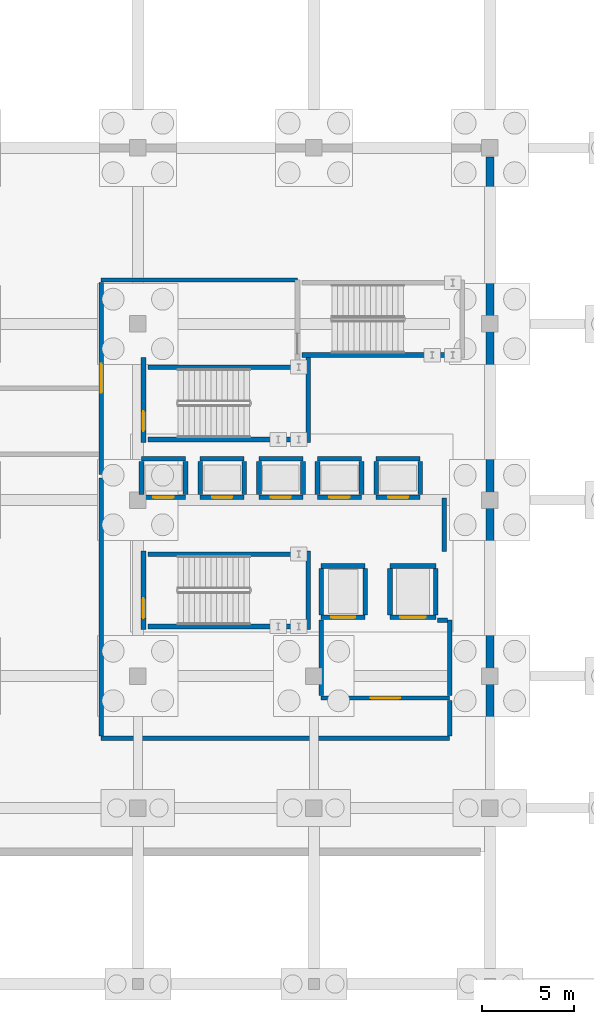
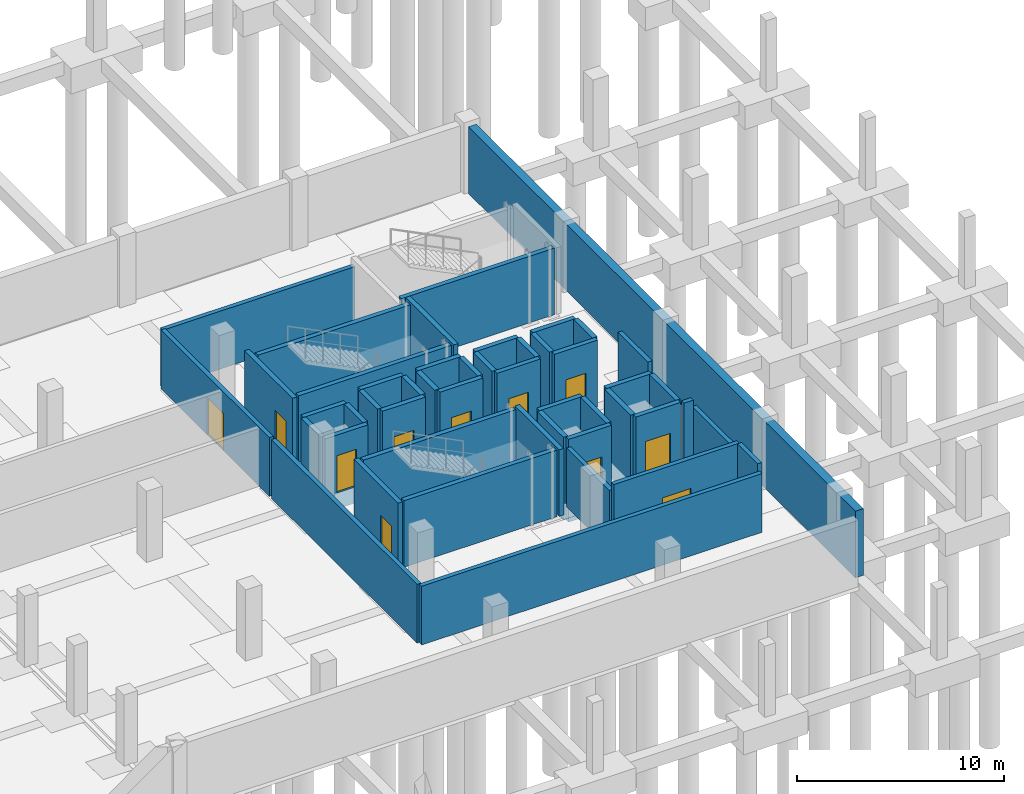
# One storey, part 43 of 54: 48 walls, 11 doors, 11 openings.
"""IFC4 building model written with IfcOpenShell, lengths in metres."""

from ifc_helpers import new_model, si_unit, direction, frame, frame_2d, origin, place, context, subcontext, project, spatial, rectangle, extrude, material, layer, layer_set, type_object, element, fill, save


model = new_model("IFC4")

# Units and contexts
model_context = context("Model", 3, precision=1e-05, world=origin(), true_north=direction((0.0, 1.0)))
body_context = subcontext(model_context, "Body", "Model", "MODEL_VIEW")
ifc_project = project(units=[si_unit("LENGTHUNIT", "METRE"), si_unit("AREAUNIT", "SQUARE_METRE"), si_unit("VOLUMEUNIT", "CUBIC_METRE"), si_unit("PLANEANGLEUNIT", "RADIAN"), si_unit("MASSUNIT", "GRAM", prefix="KILO")], contexts=[model_context])

# Site, building, storey
site_placement = place(None, origin())
site = spatial("IfcSite", under=ifc_project, at=site_placement, CompositionType="ELEMENT")
building_placement = place(site_placement, origin())
building = spatial("IfcBuilding", under=site, at=building_placement, Name="Zevrakil Square Congress Hotel", CompositionType="ELEMENT")
storey_placement = place(building_placement, frame((0.0, 0.0, -8.39990234375)))
storey = spatial("IfcBuildingStorey", under=building, at=storey_placement, Name="B2", CompositionType="ELEMENT", Elevation=-8.39990234375)

# Wall, opening, door
ifc_material_1 = material(Name="Concrete C35/45", Category="concrete")
ifc_layer_1 = layer(ifc_material_1, 0.239990234375)
ifc_layer_set_1 = layer_set([ifc_layer_1], Name="Concrete C35/45")
wall_type_1 = type_object("IfcWallType", Name="WAL-COMP-240", PredefinedType="SOLIDWALL", material=ifc_layer_set_1)
wall_1_placement = place(storey_placement, frame((146.800048828125, 15.60009765625, 0.0), z_axis=(0.0, 0.0, 1.0), x_axis=(1.0, 0.0, 0.0)))
wall_1 = element("IfcWall", 1, at=wall_1_placement, inside=storey, type_object=wall_type_1, Name="B2 interior partition PW-B2-0001", PredefinedType="SOLIDWALL", context=body_context, shape_type="SweptSolid", body=[
    extrude(rectangle(XDim=7.0, YDim=0.239990234375, at=frame_2d((3.5, 0.0))), origin(), (0.0, 0.0, 1.0), 3.929931640625),
])
opening_1_placement = place(wall_1_placement, frame((2.699951171875, 0.0, 0.0)))
opening_1 = element("IfcOpeningElement", 2, at=opening_1_placement, cuts=wall_1, Name="Opening FD90-D", PredefinedType="OPENING", context=body_context, shape_type="SweptSolid", body=[
    extrude(rectangle(XDim=1.60009765625, YDim=2.199951171875, at=frame_2d((0.800048828125, 1.10009765625))), frame((0.0, 0.1298828125, 0.0), z_axis=(0.0, -1.0, 0.0), x_axis=(1.0, 0.0, 0.0)), (0.0, 0.0, 1.0), 0.260009765625),
])
ifc_material_2 = material(Name="Steel S355 Double Fire Door", Category="steel")
door_type_1 = type_object("IfcDoorType", Name="DOR-FFLOB-FD90-160", OperationType="NOTDEFINED", PredefinedType="DOOR", material=ifc_material_2)
door_1_placement = place(opening_1_placement, origin())
door_1 = element("IfcDoor", 3, at=door_1_placement, inside=storey, type_object=door_type_1, Name="B2 interior door 2", OperationType="DOUBLE_DOOR_SINGLE_SWING", OverallHeight=2.199951171875, OverallWidth=1.60009765625, PredefinedType="DOOR", context=body_context, shape_type="SweptSolid", body=[
    extrude(rectangle(XDim=1.60009765625, YDim=2.199951171875, at=frame_2d((0.800048828125, 1.10009765625))), frame((0.0, 0.02490234375, 0.0), z_axis=(0.0, -1.0, 0.0), x_axis=(1.0, 0.0, 0.0)), (0.0, 0.0, 1.0), 0.050048828125),
])
fill(opening_1, door_1)

# Walls
for number, where, z_axis, x_axis, name in (
    (4, (146.800048828125, 15.72509765625, 0.0), (0.0, 0.0, 1.0), (0.0, 1.0, 0.0), "B2 interior partition PW-B2-0002"),
    (5, (153.800048828125, 15.72509765625, 0.0), (0.0, 0.0, 1.0), (0.0, 1.0, 0.0), "B2 interior partition PW-B2-0003"),
):
    element("IfcWall", number, at=place(storey_placement, frame(where, z_axis=z_axis, x_axis=x_axis)), inside=storey, type_object=wall_type_1, Name=name, PredefinedType="SOLIDWALL", context=body_context, shape_type="SweptSolid", body=[
        extrude(rectangle(XDim=4.125, YDim=0.239990234375, at=frame_2d((2.0625, 0.0))), origin(), (0.0, 0.0, 1.0), 3.474853515625),
    ])
wall_2_placement = place(storey_placement, frame((153.14990234375, 19.85009765625, 0.0), z_axis=(0.0, 0.0, 1.0), x_axis=(1.0, 0.0, 0.0)))
element("IfcWall", 6, at=wall_2_placement, inside=storey, type_object=wall_type_1, Name="B2 interior partition PW-B2-0004", PredefinedType="SOLIDWALL", context=body_context, shape_type="SweptSolid", body=[
    extrude(rectangle(XDim=0.525146484375, YDim=0.239990234375, at=frame_2d((0.2626953125, 0.0))), origin(), (0.0, 0.0, 1.0), 3.929931640625),
])
wall_3_placement = place(storey_placement, frame((134.800048828125, 13.39990234375, 0.0), z_axis=(0.0, 0.0, 1.0), x_axis=(1.0, 0.0, 0.0)))
element("IfcWall", 7, at=wall_3_placement, inside=storey, type_object=wall_type_1, Name="B2 interior partition PW-B2-0005", PredefinedType="SOLIDWALL", context=body_context, shape_type="SweptSolid", body=[
    extrude(rectangle(XDim=19.0, YDim=0.239990234375, at=frame_2d((9.5, 0.0))), origin(), (0.0, 0.0, 1.0), 3.46484375),
])
wall_4_placement = place(storey_placement, frame((153.800048828125, 13.52490234375, 0.0), z_axis=(0.0, 0.0, 1.0), x_axis=(0.0, 1.0, 0.0)))
element("IfcWall", 8, at=wall_4_placement, inside=storey, type_object=wall_type_1, Name="B2 interior partition PW-B2-0006", PredefinedType="SOLIDWALL", context=body_context, shape_type="SweptSolid", body=[
    extrude(rectangle(XDim=1.9501953125, YDim=0.239990234375, at=frame_2d((0.97509765625, 0.0))), origin(), (0.0, 0.0, 1.0), 3.929931640625),
])
wall_5_placement = place(storey_placement, frame((134.800048828125, 13.52490234375, 0.0), z_axis=(0.0, 0.0, 1.0), x_axis=(0.0, 1.0, 0.0)))
element("IfcWall", 9, at=wall_5_placement, inside=storey, type_object=wall_type_1, Name="B2 interior partition PW-B2-0007", PredefinedType="SOLIDWALL", context=body_context, shape_type="SweptSolid", body=[
    extrude(rectangle(XDim=14.0751953125, YDim=0.239990234375, at=frame_2d((7.03759765625, 0.0))), origin(), (0.0, 0.0, 1.0), 3.474853515625),
])

# Wall, opening, door
wall_6_placement = place(storey_placement, frame((134.800048828125, 27.800048828125, 0.0), z_axis=(0.0, 0.0, 1.0), x_axis=(0.0, 1.0, 0.0)))
wall_6 = element("IfcWall", 10, at=wall_6_placement, inside=storey, type_object=wall_type_1, Name="B2 interior partition PW-B2-0008", PredefinedType="SOLIDWALL", context=body_context, shape_type="SweptSolid", body=[
    extrude(rectangle(XDim=10.474853515625, YDim=0.239990234375, at=frame_2d((5.2373046875, 0.0))), origin(), (0.0, 0.0, 1.0), 3.474853515625),
])
opening_2_placement = place(wall_6_placement, frame((4.4375, 0.0, 0.0)))
opening_2 = element("IfcOpeningElement", 11, at=opening_2_placement, cuts=wall_6, Name="Opening FD90-D", PredefinedType="OPENING", context=body_context, shape_type="SweptSolid", body=[
    extrude(rectangle(XDim=1.60009765625, YDim=2.199951171875, at=frame_2d((0.800048828125, 1.10009765625))), frame((0.0, 0.1298828125, 0.0), z_axis=(0.0, -1.0, 0.0), x_axis=(1.0, 0.0, 0.0)), (0.0, 0.0, 1.0), 0.260009765625),
])
door_2_placement = place(opening_2_placement, origin())
door_2 = element("IfcDoor", 12, at=door_2_placement, inside=storey, type_object=door_type_1, Name="B2 interior door 3", OperationType="DOUBLE_DOOR_SINGLE_SWING", OverallHeight=2.199951171875, OverallWidth=1.60009765625, PredefinedType="DOOR", context=body_context, shape_type="SweptSolid", body=[
    extrude(rectangle(XDim=1.60009765625, YDim=2.199951171875, at=frame_2d((0.800048828125, 1.10009765625))), frame((0.0, 0.02490234375, 0.0), z_axis=(0.0, -1.0, 0.0), x_axis=(1.0, 0.0, 0.0)), (0.0, 0.0, 1.0), 0.050048828125),
])
fill(opening_2, door_2)

# Walls
wall_7_placement = place(storey_placement, frame((134.800048828125, 38.39990234375, 0.0), z_axis=(0.0, 0.0, 1.0), x_axis=(1.0, 0.0, 0.0)))
element("IfcWall", 13, at=wall_7_placement, inside=storey, type_object=wall_type_1, Name="B2 interior partition PW-B2-0009", PredefinedType="SOLIDWALL", context=body_context, shape_type="SweptSolid", body=[
    extrude(rectangle(XDim=10.699951171875, YDim=0.239990234375, at=frame_2d((5.35009765625, 0.0))), origin(), (0.0, 0.0, 1.0), 3.414794921875),
])
wall_8_placement = place(storey_placement, frame((153.5, 23.60009765625, 0.0), z_axis=(0.0, 0.0, 1.0), x_axis=(0.0, 1.0, 0.0)))
element("IfcWall", 14, at=wall_8_placement, inside=storey, type_object=wall_type_1, Name="B2 interior partition PW-B2-0010", PredefinedType="SOLIDWALL", context=body_context, shape_type="SweptSolid", body=[
    extrude(rectangle(XDim=2.89990234375, YDim=0.239990234375, at=frame_2d((1.449951171875, 0.0))), origin(), (0.0, 0.0, 1.0), 3.929931640625),
])
ifc_material_3 = material(Name="Concrete C40/50", Category="concrete")
ifc_layer_2 = layer(ifc_material_3, 0.449951171875)
ifc_layer_set_2 = layer_set([ifc_layer_2], Name="Concrete C40/50")
wall_type_2 = type_object("IfcWallType", Name="WAL-RET-450", PredefinedType="SOLIDWALL", material=ifc_layer_set_2)
wall_9_placement = place(storey_placement, frame((156.0, 7.699951171875, 0.0), z_axis=(0.0, 0.0, 1.0), x_axis=(0.0, 1.0, 0.0)))
element("IfcWall", 15, at=wall_9_placement, inside=storey, type_object=wall_type_2, Name="B2 perimeter concrete retaining wall 2", PredefinedType="SOLIDWALL", context=body_context, shape_type="SweptSolid", body=[
    extrude(rectangle(XDim=37.400146484375, YDim=0.449951171875, at=frame_2d((18.7001953125, 0.0))), origin(), (0.0, 0.0, 1.0), 3.929931640625),
])

# Wall, opening, door
ifc_material_4 = material(Name="Concrete C40/50", Category="concrete")
ifc_layer_3 = layer(ifc_material_4, 0.260009765625)
ifc_layer_set_3 = layer_set([ifc_layer_3], Name="Concrete C40/50")
wall_type_3 = type_object("IfcWallType", Name="WAL-SHAFT-260", PredefinedType="SHEAR", material=ifc_layer_set_3)
wall_10_placement = place(storey_placement, frame((137.10498046875, 19.340087890625, 0.0), z_axis=(0.0, 0.0, 1.0), x_axis=(0.0, 1.0, 0.0)))
wall_10 = element("IfcWall", 16, at=wall_10_placement, inside=storey, type_object=wall_type_3, Name="B2 ST01 stair shaft W wall", PredefinedType="SHEAR", context=body_context, shape_type="SweptSolid", body=[
    extrude(rectangle(XDim=4.27001953125, YDim=0.260009765625, at=frame_2d((2.135009765625, 0.0))), origin(), (0.0, 0.0, 1.0), 3.929931640625),
])
opening_3_placement = place(wall_10_placement, frame((0.610107421875, 0.0, 0.0)))
opening_3 = element("IfcOpeningElement", 17, at=opening_3_placement, cuts=wall_10, Name="Opening SD-ST01", PredefinedType="OPENING", context=body_context, shape_type="SweptSolid", body=[
    extrude(rectangle(XDim=1.10009765625, YDim=2.199951171875, at=frame_2d((0.550048828125, 1.10009765625))), frame((0.0, 0.14013671875, 0.0), z_axis=(0.0, -1.0, 0.0), x_axis=(1.0, 0.0, 0.0)), (0.0, 0.0, 1.0), 0.280029296875),
])
ifc_material_5 = material(Name="Steel S355 Fire-Rated Door", Category="steel")
door_type_2 = type_object("IfcDoorType", Name="DOR-STAIR-FD90-110", OperationType="NOTDEFINED", PredefinedType="DOOR", material=ifc_material_5)
door_3_placement = place(opening_3_placement, origin())
door_3 = element("IfcDoor", 18, at=door_3_placement, inside=storey, type_object=door_type_2, Name="B2 ST01 protected stair fire door", OperationType="SINGLE_SWING_RIGHT", OverallHeight=2.199951171875, OverallWidth=1.10009765625, PredefinedType="DOOR", context=body_context, shape_type="SweptSolid", body=[
    extrude(rectangle(XDim=1.10009765625, YDim=2.199951171875, at=frame_2d((0.550048828125, 1.10009765625))), frame((0.0, 0.02490234375, 0.0), z_axis=(0.0, -1.0, 0.0), x_axis=(1.0, 0.0, 0.0)), (0.0, 0.0, 1.0), 0.050048828125),
])
fill(opening_3, door_3)

# Walls
wall_11_placement = place(storey_placement, frame((146.094970703125, 19.340087890625, 0.0), z_axis=(0.0, 0.0, 1.0), x_axis=(0.0, 1.0, 0.0)))
element("IfcWall", 19, at=wall_11_placement, inside=storey, type_object=wall_type_3, Name="B2 ST01 stair shaft E wall", PredefinedType="SHEAR", context=body_context, shape_type="SweptSolid", body=[
    extrude(rectangle(XDim=4.27001953125, YDim=0.260009765625, at=frame_2d((2.135009765625, 0.0))), origin(), (0.0, 0.0, 1.0), 3.929931640625),
])
for number, where, z_axis, x_axis, name in (
    (20, (137.340087890625, 19.5048828125, 0.0), (0.0, 0.0, 1.0), (1.0, 0.0, 0.0), "B2 ST01 stair shaft S wall"),
    (21, (137.340087890625, 23.445068359375, 0.0), (0.0, 0.0, 1.0), (1.0, 0.0, 0.0), "B2 ST01 stair shaft N wall"),
):
    element("IfcWall", number, at=place(storey_placement, frame(where, z_axis=z_axis, x_axis=x_axis)), inside=storey, type_object=wall_type_3, Name=name, PredefinedType="SHEAR", context=body_context, shape_type="SweptSolid", body=[
        extrude(rectangle(XDim=8.52001953125, YDim=0.260009765625, at=frame_2d((4.260009765625, 0.0))), origin(), (0.0, 0.0, 1.0), 3.929931640625),
    ])

# Wall, opening, door
wall_12_placement = place(storey_placement, frame((137.10498046875, 29.5400390625, 0.0), z_axis=(0.0, 0.0, 1.0), x_axis=(0.0, 1.0, 0.0)))
wall_12 = element("IfcWall", 22, at=wall_12_placement, inside=storey, type_object=wall_type_3, Name="B2 ST02 stair shaft W wall", PredefinedType="SHEAR", context=body_context, shape_type="SweptSolid", body=[
    extrude(rectangle(XDim=4.635009765625, YDim=0.260009765625, at=frame_2d((2.3173828125, 0.0))), origin(), (0.0, 0.0, 1.0), 3.929931640625),
])
opening_4_placement = place(wall_12_placement, frame((0.610107421875, 0.0, 0.0)))
opening_4 = element("IfcOpeningElement", 23, at=opening_4_placement, cuts=wall_12, Name="Opening SD-ST02", PredefinedType="OPENING", context=body_context, shape_type="SweptSolid", body=[
    extrude(rectangle(XDim=1.10009765625, YDim=2.199951171875, at=frame_2d((0.550048828125, 1.10009765625))), frame((0.0, 0.14013671875, 0.0), z_axis=(0.0, -1.0, 0.0), x_axis=(1.0, 0.0, 0.0)), (0.0, 0.0, 1.0), 0.280029296875),
])
door_4_placement = place(opening_4_placement, origin())
door_4 = element("IfcDoor", 24, at=door_4_placement, inside=storey, type_object=door_type_2, Name="B2 ST02 protected stair fire door", OperationType="SINGLE_SWING_RIGHT", OverallHeight=2.199951171875, OverallWidth=1.10009765625, PredefinedType="DOOR", context=body_context, shape_type="SweptSolid", body=[
    extrude(rectangle(XDim=1.10009765625, YDim=2.199951171875, at=frame_2d((0.550048828125, 1.10009765625))), frame((0.0, 0.02490234375, 0.0), z_axis=(0.0, -1.0, 0.0), x_axis=(1.0, 0.0, 0.0)), (0.0, 0.0, 1.0), 0.050048828125),
])
fill(opening_4, door_4)

# Walls
wall_13_placement = place(storey_placement, frame((146.094970703125, 29.5400390625, 0.0), z_axis=(0.0, 0.0, 1.0), x_axis=(0.0, 1.0, 0.0)))
element("IfcWall", 25, at=wall_13_placement, inside=storey, type_object=wall_type_3, Name="B2 ST02 stair shaft E wall", PredefinedType="SHEAR", context=body_context, shape_type="SweptSolid", body=[
    extrude(rectangle(XDim=4.635009765625, YDim=0.260009765625, at=frame_2d((2.3173828125, 0.0))), origin(), (0.0, 0.0, 1.0), 3.929931640625),
])
for number, where, z_axis, x_axis, name in (
    (26, (137.340087890625, 29.705078125, 0.0), (0.0, 0.0, 1.0), (1.0, 0.0, 0.0), "B2 ST02 stair shaft S wall"),
    (27, (137.340087890625, 33.64501953125, 0.0), (0.0, 0.0, 1.0), (1.0, 0.0, 0.0), "B2 ST02 stair shaft N wall"),
    (28, (145.739990234375, 34.304931640625, 0.0), (0.0, 0.0, 1.0), (1.0, 0.0, 0.0), "B2 ST03 stair shaft S wall"),
):
    element("IfcWall", number, at=place(storey_placement, frame(where, z_axis=z_axis, x_axis=x_axis)), inside=storey, type_object=wall_type_3, Name=name, PredefinedType="SHEAR", context=body_context, shape_type="SweptSolid", body=[
        extrude(rectangle(XDim=8.52001953125, YDim=0.260009765625, at=frame_2d((4.260009765625, 0.0))), origin(), (0.0, 0.0, 1.0), 3.929931640625),
    ])

# Wall, opening, door
wall_14_placement = place(storey_placement, frame((137.0, 26.550048828125, -0.9501953125), z_axis=(0.0, 0.0, 1.0), x_axis=(1.0, 0.0, 0.0)))
wall_14 = element("IfcWall", 29, at=wall_14_placement, inside=storey, type_object=wall_type_3, Name="B2 HL1 lift shaft wall", PredefinedType="SHEAR", context=body_context, shape_type="SweptSolid", body=[
    extrude(rectangle(XDim=2.39990234375, YDim=0.260009765625, at=frame_2d((1.199951171875, 0.0))), origin(), (0.0, 0.0, 1.0), 4.364990234375),
])
opening_5_placement = place(wall_14_placement, frame((0.64990234375, 0.0, 0.949951171875)))
opening_5 = element("IfcOpeningElement", 30, at=opening_5_placement, cuts=wall_14, Name="Opening LD-HL1", PredefinedType="OPENING", context=body_context, shape_type="SweptSolid", body=[
    extrude(rectangle(XDim=1.10009765625, YDim=2.199951171875, at=frame_2d((0.550048828125, 1.10009765625))), frame((0.0, 0.14013671875, 0.0), z_axis=(0.0, -1.0, 0.0), x_axis=(1.0, 0.0, 0.0)), (0.0, 0.0, 1.0), 0.280029296875),
])
ifc_material_6 = material(Name="Stainless Steel Sliding Lift Landing Door", Category="steel")
door_type_3 = type_object("IfcDoorType", Name="DOR-LIFT-LD110", OperationType="NOTDEFINED", PredefinedType="DOOR", material=ifc_material_6)
door_5_placement = place(opening_5_placement, origin())
door_5 = element("IfcDoor", 31, at=door_5_placement, inside=storey, type_object=door_type_3, Name="B2 HL1 sliding lift landing door", OperationType="SLIDING_TO_LEFT", OverallHeight=2.199951171875, OverallWidth=1.10009765625, PredefinedType="DOOR", context=body_context, shape_type="SweptSolid", body=[
    extrude(rectangle(XDim=1.10009765625, YDim=2.199951171875, at=frame_2d((0.550048828125, 1.10009765625))), frame((0.0, 0.02490234375, 0.0), z_axis=(0.0, -1.0, 0.0), x_axis=(1.0, 0.0, 0.0)), (0.0, 0.0, 1.0), 0.050048828125),
])
fill(opening_5, door_5)

# Walls
wall_15_placement = place(storey_placement, frame((137.0, 28.64990234375, -0.9501953125), z_axis=(0.0, 0.0, 1.0), x_axis=(1.0, 0.0, 0.0)))
element("IfcWall", 32, at=wall_15_placement, inside=storey, type_object=wall_type_3, Name="B2 HL1 lift shaft wall", PredefinedType="SHEAR", context=body_context, shape_type="SweptSolid", body=[
    extrude(rectangle(XDim=2.39990234375, YDim=0.260009765625, at=frame_2d((1.199951171875, 0.0))), origin(), (0.0, 0.0, 1.0), 4.364990234375),
])
for number, where, z_axis, x_axis, name in (
    (33, (137.0, 26.68994140625, -0.9501953125), (0.0, 0.0, 1.0), (0.0, 1.0, 0.0), "B2 HL1 lift shaft wall"),
    (34, (139.39990234375, 26.68994140625, -0.9501953125), (0.0, 0.0, 1.0), (0.0, 1.0, 0.0), "B2 HL1 lift shaft wall"),
):
    element("IfcWall", number, at=place(storey_placement, frame(where, z_axis=z_axis, x_axis=x_axis)), inside=storey, type_object=wall_type_3, Name=name, PredefinedType="SHEAR", context=body_context, shape_type="SweptSolid", body=[
        extrude(rectangle(XDim=1.820068359375, YDim=0.260009765625, at=frame_2d((0.91015625, 0.0))), origin(), (0.0, 0.0, 1.0), 4.364990234375),
    ])

# Wall, opening, door
wall_16_placement = place(storey_placement, frame((140.199951171875, 26.550048828125, -0.9501953125), z_axis=(0.0, 0.0, 1.0), x_axis=(1.0, 0.0, 0.0)))
wall_16 = element("IfcWall", 35, at=wall_16_placement, inside=storey, type_object=wall_type_3, Name="B2 HL2 lift shaft wall", PredefinedType="SHEAR", context=body_context, shape_type="SweptSolid", body=[
    extrude(rectangle(XDim=2.400146484375, YDim=0.260009765625, at=frame_2d((1.2001953125, 0.0))), origin(), (0.0, 0.0, 1.0), 4.880126953125),
])
opening_6_placement = place(wall_16_placement, frame((0.64990234375, 0.0, 0.949951171875)))
opening_6 = element("IfcOpeningElement", 36, at=opening_6_placement, cuts=wall_16, Name="Opening LD-HL2", PredefinedType="OPENING", context=body_context, shape_type="SweptSolid", body=[
    extrude(rectangle(XDim=1.10009765625, YDim=2.199951171875, at=frame_2d((0.550048828125, 1.10009765625))), frame((0.0, 0.14013671875, 0.0), z_axis=(0.0, -1.0, 0.0), x_axis=(1.0, 0.0, 0.0)), (0.0, 0.0, 1.0), 0.280029296875),
])
door_6_placement = place(opening_6_placement, origin())
door_6 = element("IfcDoor", 37, at=door_6_placement, inside=storey, type_object=door_type_3, Name="B2 HL2 sliding lift landing door", OperationType="SLIDING_TO_RIGHT", OverallHeight=2.199951171875, OverallWidth=1.10009765625, PredefinedType="DOOR", context=body_context, shape_type="SweptSolid", body=[
    extrude(rectangle(XDim=1.10009765625, YDim=2.199951171875, at=frame_2d((0.550048828125, 1.10009765625))), frame((0.0, 0.02490234375, 0.0), z_axis=(0.0, -1.0, 0.0), x_axis=(1.0, 0.0, 0.0)), (0.0, 0.0, 1.0), 0.050048828125),
])
fill(opening_6, door_6)

# Walls
wall_17_placement = place(storey_placement, frame((140.199951171875, 28.64990234375, -0.9501953125), z_axis=(0.0, 0.0, 1.0), x_axis=(1.0, 0.0, 0.0)))
element("IfcWall", 38, at=wall_17_placement, inside=storey, type_object=wall_type_3, Name="B2 HL2 lift shaft wall", PredefinedType="SHEAR", context=body_context, shape_type="SweptSolid", body=[
    extrude(rectangle(XDim=2.400146484375, YDim=0.260009765625, at=frame_2d((1.2001953125, 0.0))), origin(), (0.0, 0.0, 1.0), 4.880126953125),
])
for number, where, z_axis, x_axis, name in (
    (39, (140.199951171875, 26.68994140625, -0.9501953125), (0.0, 0.0, 1.0), (0.0, 1.0, 0.0), "B2 HL2 lift shaft wall"),
    (40, (142.60009765625, 26.68994140625, -0.9501953125), (0.0, 0.0, 1.0), (0.0, 1.0, 0.0), "B2 HL2 lift shaft wall"),
):
    element("IfcWall", number, at=place(storey_placement, frame(where, z_axis=z_axis, x_axis=x_axis)), inside=storey, type_object=wall_type_3, Name=name, PredefinedType="SHEAR", context=body_context, shape_type="SweptSolid", body=[
        extrude(rectangle(XDim=1.820068359375, YDim=0.260009765625, at=frame_2d((0.91015625, 0.0))), origin(), (0.0, 0.0, 1.0), 4.880126953125),
    ])

# Wall, opening, door
wall_18_placement = place(storey_placement, frame((143.39990234375, 26.550048828125, -0.9501953125), z_axis=(0.0, 0.0, 1.0), x_axis=(1.0, 0.0, 0.0)))
wall_18 = element("IfcWall", 41, at=wall_18_placement, inside=storey, type_object=wall_type_3, Name="B2 HL3 lift shaft wall", PredefinedType="SHEAR", context=body_context, shape_type="SweptSolid", body=[
    extrude(rectangle(XDim=2.400146484375, YDim=0.260009765625, at=frame_2d((1.2001953125, 0.0))), origin(), (0.0, 0.0, 1.0), 4.880126953125),
])
opening_7_placement = place(wall_18_placement, frame((0.64990234375, 0.0, 0.949951171875)))
opening_7 = element("IfcOpeningElement", 42, at=opening_7_placement, cuts=wall_18, Name="Opening LD-HL3", PredefinedType="OPENING", context=body_context, shape_type="SweptSolid", body=[
    extrude(rectangle(XDim=1.10009765625, YDim=2.199951171875, at=frame_2d((0.550048828125, 1.10009765625))), frame((0.0, 0.14013671875, 0.0), z_axis=(0.0, -1.0, 0.0), x_axis=(1.0, 0.0, 0.0)), (0.0, 0.0, 1.0), 0.280029296875),
])
door_7_placement = place(opening_7_placement, origin())
door_7 = element("IfcDoor", 43, at=door_7_placement, inside=storey, type_object=door_type_3, Name="B2 HL3 sliding lift landing door", OperationType="SLIDING_TO_LEFT", OverallHeight=2.199951171875, OverallWidth=1.10009765625, PredefinedType="DOOR", context=body_context, shape_type="SweptSolid", body=[
    extrude(rectangle(XDim=1.10009765625, YDim=2.199951171875, at=frame_2d((0.550048828125, 1.10009765625))), frame((0.0, 0.02490234375, 0.0), z_axis=(0.0, -1.0, 0.0), x_axis=(1.0, 0.0, 0.0)), (0.0, 0.0, 1.0), 0.050048828125),
])
fill(opening_7, door_7)

# Walls
wall_19_placement = place(storey_placement, frame((143.39990234375, 28.64990234375, -0.9501953125), z_axis=(0.0, 0.0, 1.0), x_axis=(1.0, 0.0, 0.0)))
element("IfcWall", 44, at=wall_19_placement, inside=storey, type_object=wall_type_3, Name="B2 HL3 lift shaft wall", PredefinedType="SHEAR", context=body_context, shape_type="SweptSolid", body=[
    extrude(rectangle(XDim=2.400146484375, YDim=0.260009765625, at=frame_2d((1.2001953125, 0.0))), origin(), (0.0, 0.0, 1.0), 4.880126953125),
])
for number, where, z_axis, x_axis, name in (
    (45, (143.39990234375, 26.68994140625, -0.9501953125), (0.0, 0.0, 1.0), (0.0, 1.0, 0.0), "B2 HL3 lift shaft wall"),
    (46, (145.800048828125, 26.68994140625, -0.9501953125), (0.0, 0.0, 1.0), (0.0, 1.0, 0.0), "B2 HL3 lift shaft wall"),
):
    element("IfcWall", number, at=place(storey_placement, frame(where, z_axis=z_axis, x_axis=x_axis)), inside=storey, type_object=wall_type_3, Name=name, PredefinedType="SHEAR", context=body_context, shape_type="SweptSolid", body=[
        extrude(rectangle(XDim=1.820068359375, YDim=0.260009765625, at=frame_2d((0.91015625, 0.0))), origin(), (0.0, 0.0, 1.0), 4.880126953125),
    ])

# Wall, opening, door
wall_20_placement = place(storey_placement, frame((146.60009765625, 26.550048828125, -0.9501953125), z_axis=(0.0, 0.0, 1.0), x_axis=(1.0, 0.0, 0.0)))
wall_20 = element("IfcWall", 47, at=wall_20_placement, inside=storey, type_object=wall_type_3, Name="B2 HL4 lift shaft wall", PredefinedType="SHEAR", context=body_context, shape_type="SweptSolid", body=[
    extrude(rectangle(XDim=2.39990234375, YDim=0.260009765625, at=frame_2d((1.199951171875, 0.0))), origin(), (0.0, 0.0, 1.0), 4.880126953125),
])
opening_8_placement = place(wall_20_placement, frame((0.64990234375, 0.0, 0.949951171875)))
opening_8 = element("IfcOpeningElement", 48, at=opening_8_placement, cuts=wall_20, Name="Opening LD-HL4", PredefinedType="OPENING", context=body_context, shape_type="SweptSolid", body=[
    extrude(rectangle(XDim=1.10009765625, YDim=2.199951171875, at=frame_2d((0.550048828125, 1.10009765625))), frame((0.0, 0.14013671875, 0.0), z_axis=(0.0, -1.0, 0.0), x_axis=(1.0, 0.0, 0.0)), (0.0, 0.0, 1.0), 0.280029296875),
])
door_8_placement = place(opening_8_placement, origin())
door_8 = element("IfcDoor", 49, at=door_8_placement, inside=storey, type_object=door_type_3, Name="B2 HL4 sliding lift landing door", OperationType="SLIDING_TO_RIGHT", OverallHeight=2.199951171875, OverallWidth=1.10009765625, PredefinedType="DOOR", context=body_context, shape_type="SweptSolid", body=[
    extrude(rectangle(XDim=1.10009765625, YDim=2.199951171875, at=frame_2d((0.550048828125, 1.10009765625))), frame((0.0, 0.02490234375, 0.0), z_axis=(0.0, -1.0, 0.0), x_axis=(1.0, 0.0, 0.0)), (0.0, 0.0, 1.0), 0.050048828125),
])
fill(opening_8, door_8)

# Walls
wall_21_placement = place(storey_placement, frame((146.60009765625, 28.64990234375, -0.9501953125), z_axis=(0.0, 0.0, 1.0), x_axis=(1.0, 0.0, 0.0)))
element("IfcWall", 50, at=wall_21_placement, inside=storey, type_object=wall_type_3, Name="B2 HL4 lift shaft wall", PredefinedType="SHEAR", context=body_context, shape_type="SweptSolid", body=[
    extrude(rectangle(XDim=2.39990234375, YDim=0.260009765625, at=frame_2d((1.199951171875, 0.0))), origin(), (0.0, 0.0, 1.0), 4.880126953125),
])
for number, where, z_axis, x_axis, name in (
    (51, (146.60009765625, 26.68994140625, -0.9501953125), (0.0, 0.0, 1.0), (0.0, 1.0, 0.0), "B2 HL4 lift shaft wall"),
    (52, (149.0, 26.68994140625, -0.9501953125), (0.0, 0.0, 1.0), (0.0, 1.0, 0.0), "B2 HL4 lift shaft wall"),
):
    element("IfcWall", number, at=place(storey_placement, frame(where, z_axis=z_axis, x_axis=x_axis)), inside=storey, type_object=wall_type_3, Name=name, PredefinedType="SHEAR", context=body_context, shape_type="SweptSolid", body=[
        extrude(rectangle(XDim=1.820068359375, YDim=0.260009765625, at=frame_2d((0.91015625, 0.0))), origin(), (0.0, 0.0, 1.0), 4.880126953125),
    ])

# Wall, opening, door
wall_22_placement = place(storey_placement, frame((149.800048828125, 26.550048828125, -0.9501953125), z_axis=(0.0, 0.0, 1.0), x_axis=(1.0, 0.0, 0.0)))
wall_22 = element("IfcWall", 53, at=wall_22_placement, inside=storey, type_object=wall_type_3, Name="B2 HL5 lift shaft wall", PredefinedType="SHEAR", context=body_context, shape_type="SweptSolid", body=[
    extrude(rectangle(XDim=2.39990234375, YDim=0.260009765625, at=frame_2d((1.199951171875, 0.0))), origin(), (0.0, 0.0, 1.0), 4.880126953125),
])
opening_9_placement = place(wall_22_placement, frame((0.64990234375, 0.0, 0.949951171875)))
opening_9 = element("IfcOpeningElement", 54, at=opening_9_placement, cuts=wall_22, Name="Opening LD-HL5", PredefinedType="OPENING", context=body_context, shape_type="SweptSolid", body=[
    extrude(rectangle(XDim=1.10009765625, YDim=2.199951171875, at=frame_2d((0.550048828125, 1.10009765625))), frame((0.0, 0.14013671875, 0.0), z_axis=(0.0, -1.0, 0.0), x_axis=(1.0, 0.0, 0.0)), (0.0, 0.0, 1.0), 0.280029296875),
])
door_9_placement = place(opening_9_placement, origin())
door_9 = element("IfcDoor", 55, at=door_9_placement, inside=storey, type_object=door_type_3, Name="B2 HL5 sliding lift landing door", OperationType="SLIDING_TO_LEFT", OverallHeight=2.199951171875, OverallWidth=1.10009765625, PredefinedType="DOOR", context=body_context, shape_type="SweptSolid", body=[
    extrude(rectangle(XDim=1.10009765625, YDim=2.199951171875, at=frame_2d((0.550048828125, 1.10009765625))), frame((0.0, 0.02490234375, 0.0), z_axis=(0.0, -1.0, 0.0), x_axis=(1.0, 0.0, 0.0)), (0.0, 0.0, 1.0), 0.050048828125),
])
fill(opening_9, door_9)

# Walls
wall_23_placement = place(storey_placement, frame((149.800048828125, 28.64990234375, -0.9501953125), z_axis=(0.0, 0.0, 1.0), x_axis=(1.0, 0.0, 0.0)))
element("IfcWall", 56, at=wall_23_placement, inside=storey, type_object=wall_type_3, Name="B2 HL5 lift shaft wall", PredefinedType="SHEAR", context=body_context, shape_type="SweptSolid", body=[
    extrude(rectangle(XDim=2.39990234375, YDim=0.260009765625, at=frame_2d((1.199951171875, 0.0))), origin(), (0.0, 0.0, 1.0), 4.880126953125),
])
for number, where, z_axis, x_axis, name in (
    (57, (149.800048828125, 26.68994140625, -0.9501953125), (0.0, 0.0, 1.0), (0.0, 1.0, 0.0), "B2 HL5 lift shaft wall"),
    (58, (152.199951171875, 26.68994140625, -0.9501953125), (0.0, 0.0, 1.0), (0.0, 1.0, 0.0), "B2 HL5 lift shaft wall"),
):
    element("IfcWall", number, at=place(storey_placement, frame(where, z_axis=z_axis, x_axis=x_axis)), inside=storey, type_object=wall_type_3, Name=name, PredefinedType="SHEAR", context=body_context, shape_type="SweptSolid", body=[
        extrude(rectangle(XDim=1.820068359375, YDim=0.260009765625, at=frame_2d((0.91015625, 0.0))), origin(), (0.0, 0.0, 1.0), 4.880126953125),
    ])

# Wall, opening, door
wall_24_placement = place(storey_placement, frame((146.800048828125, 20.0, -0.9501953125), z_axis=(0.0, 0.0, 1.0), x_axis=(1.0, 0.0, 0.0)))
wall_24 = element("IfcWall", 59, at=wall_24_placement, inside=storey, type_object=wall_type_3, Name="B2 FFL1 lift shaft wall", PredefinedType="SHEAR", context=body_context, shape_type="SweptSolid", body=[
    extrude(rectangle(XDim=2.39990234375, YDim=0.260009765625, at=frame_2d((1.199951171875, 0.0))), origin(), (0.0, 0.0, 1.0), 4.880126953125),
])
opening_10_placement = place(wall_24_placement, frame((0.550048828125, 0.0, 0.949951171875)))
opening_10 = element("IfcOpeningElement", 60, at=opening_10_placement, cuts=wall_24, Name="Opening LD-FFL1", PredefinedType="OPENING", context=body_context, shape_type="SweptSolid", body=[
    extrude(rectangle(XDim=1.300048828125, YDim=2.25, at=frame_2d((0.64990234375, 1.125))), frame((0.0, 0.14013671875, 0.0), z_axis=(0.0, -1.0, 0.0), x_axis=(1.0, 0.0, 0.0)), (0.0, 0.0, 1.0), 0.280029296875),
])
ifc_material_7 = material(Name="Stretcher Firefighting Sliding Landing Door")
door_type_4 = type_object("IfcDoorType", Name="DOR-LIFT-LD130", OperationType="NOTDEFINED", PredefinedType="DOOR", material=ifc_material_7)
door_10_placement = place(opening_10_placement, origin())
door_10 = element("IfcDoor", 61, at=door_10_placement, inside=storey, type_object=door_type_4, Name="B2 FFL1 sliding lift landing door", OperationType="SLIDING_TO_RIGHT", OverallHeight=2.25, OverallWidth=1.300048828125, PredefinedType="DOOR", context=body_context, shape_type="SweptSolid", body=[
    extrude(rectangle(XDim=1.300048828125, YDim=2.25, at=frame_2d((0.64990234375, 1.125))), frame((0.0, 0.02490234375, 0.0), z_axis=(0.0, -1.0, 0.0), x_axis=(1.0, 0.0, 0.0)), (0.0, 0.0, 1.0), 0.050048828125),
])
fill(opening_10, door_10)

# Walls
wall_25_placement = place(storey_placement, frame((146.800048828125, 22.800048828125, -0.9501953125), z_axis=(0.0, 0.0, 1.0), x_axis=(1.0, 0.0, 0.0)))
element("IfcWall", 62, at=wall_25_placement, inside=storey, type_object=wall_type_3, Name="B2 FFL1 lift shaft wall", PredefinedType="SHEAR", context=body_context, shape_type="SweptSolid", body=[
    extrude(rectangle(XDim=2.39990234375, YDim=0.260009765625, at=frame_2d((1.199951171875, 0.0))), origin(), (0.0, 0.0, 1.0), 4.880126953125),
])
for number, where, z_axis, x_axis, name in (
    (63, (146.800048828125, 20.139892578125, -0.9501953125), (0.0, 0.0, 1.0), (0.0, 1.0, 0.0), "B2 FFL1 lift shaft wall"),
    (64, (149.199951171875, 20.139892578125, -0.9501953125), (0.0, 0.0, 1.0), (0.0, 1.0, 0.0), "B2 FFL1 lift shaft wall"),
):
    element("IfcWall", number, at=place(storey_placement, frame(where, z_axis=z_axis, x_axis=x_axis)), inside=storey, type_object=wall_type_3, Name=name, PredefinedType="SHEAR", context=body_context, shape_type="SweptSolid", body=[
        extrude(rectangle(XDim=2.52001953125, YDim=0.260009765625, at=frame_2d((1.260009765625, 0.0))), origin(), (0.0, 0.0, 1.0), 4.880126953125),
    ])

# Wall, opening, door
wall_26_placement = place(storey_placement, frame((150.550048828125, 20.0, -0.9501953125), z_axis=(0.0, 0.0, 1.0), x_axis=(1.0, 0.0, 0.0)))
wall_26 = element("IfcWall", 65, at=wall_26_placement, inside=storey, type_object=wall_type_3, Name="B2 SL1 lift shaft wall", PredefinedType="SHEAR", context=body_context, shape_type="SweptSolid", body=[
    extrude(rectangle(XDim=2.5, YDim=0.260009765625, at=frame_2d((1.25, 0.0))), origin(), (0.0, 0.0, 1.0), 4.880126953125),
])
opening_11_placement = place(wall_26_placement, frame((0.550048828125, 0.0, 0.949951171875)))
opening_11 = element("IfcOpeningElement", 66, at=opening_11_placement, cuts=wall_26, Name="Opening LD-SL1", PredefinedType="OPENING", context=body_context, shape_type="SweptSolid", body=[
    extrude(rectangle(XDim=1.39990234375, YDim=2.300048828125, at=frame_2d((0.699951171875, 1.14990234375))), frame((0.0, 0.14013671875, 0.0), z_axis=(0.0, -1.0, 0.0), x_axis=(1.0, 0.0, 0.0)), (0.0, 0.0, 1.0), 0.280029296875),
])
ifc_material_8 = material(Name="Goods Service Sliding Landing Door")
door_type_5 = type_object("IfcDoorType", Name="DOR-LIFT-LD140", OperationType="NOTDEFINED", PredefinedType="DOOR", material=ifc_material_8)
door_11_placement = place(opening_11_placement, origin())
door_11 = element("IfcDoor", 67, at=door_11_placement, inside=storey, type_object=door_type_5, Name="B2 SL1 sliding lift landing door", OperationType="SLIDING_TO_LEFT", OverallHeight=2.300048828125, OverallWidth=1.39990234375, PredefinedType="DOOR", context=body_context, shape_type="SweptSolid", body=[
    extrude(rectangle(XDim=1.39990234375, YDim=2.300048828125, at=frame_2d((0.699951171875, 1.14990234375))), frame((0.0, 0.02490234375, 0.0), z_axis=(0.0, -1.0, 0.0), x_axis=(1.0, 0.0, 0.0)), (0.0, 0.0, 1.0), 0.050048828125),
])
fill(opening_11, door_11)

# Walls
wall_27_placement = place(storey_placement, frame((150.550048828125, 22.800048828125, -0.9501953125), z_axis=(0.0, 0.0, 1.0), x_axis=(1.0, 0.0, 0.0)))
element("IfcWall", 68, at=wall_27_placement, inside=storey, type_object=wall_type_3, Name="B2 SL1 lift shaft wall", PredefinedType="SHEAR", context=body_context, shape_type="SweptSolid", body=[
    extrude(rectangle(XDim=2.5, YDim=0.260009765625, at=frame_2d((1.25, 0.0))), origin(), (0.0, 0.0, 1.0), 4.880126953125),
])
for number, where, z_axis, x_axis, name in (
    (69, (150.550048828125, 20.139892578125, -0.9501953125), (0.0, 0.0, 1.0), (0.0, 1.0, 0.0), "B2 SL1 lift shaft wall"),
    (70, (153.050048828125, 20.139892578125, -0.9501953125), (0.0, 0.0, 1.0), (0.0, 1.0, 0.0), "B2 SL1 lift shaft wall"),
):
    element("IfcWall", number, at=place(storey_placement, frame(where, z_axis=z_axis, x_axis=x_axis)), inside=storey, type_object=wall_type_3, Name=name, PredefinedType="SHEAR", context=body_context, shape_type="SweptSolid", body=[
        extrude(rectangle(XDim=2.52001953125, YDim=0.260009765625, at=frame_2d((1.260009765625, 0.0))), origin(), (0.0, 0.0, 1.0), 4.880126953125),
    ])

save(model, "model.ifc")
